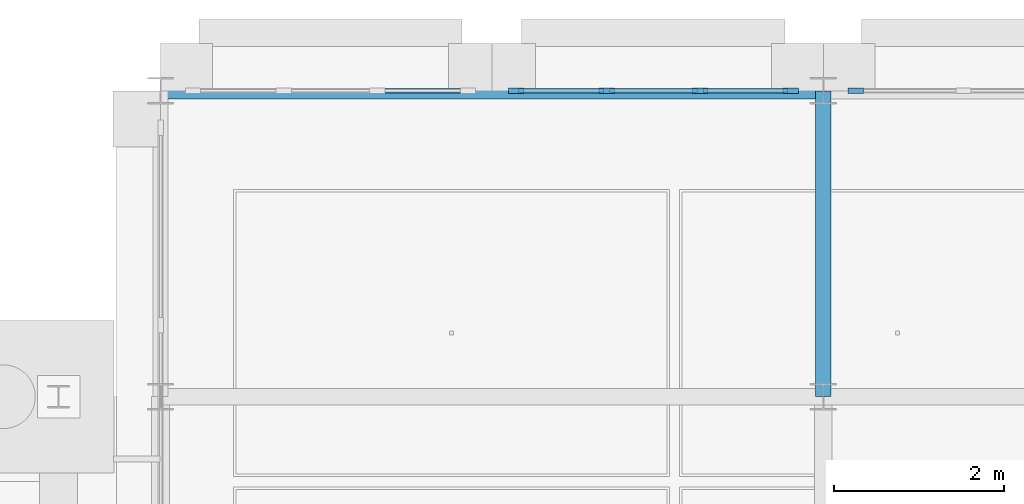
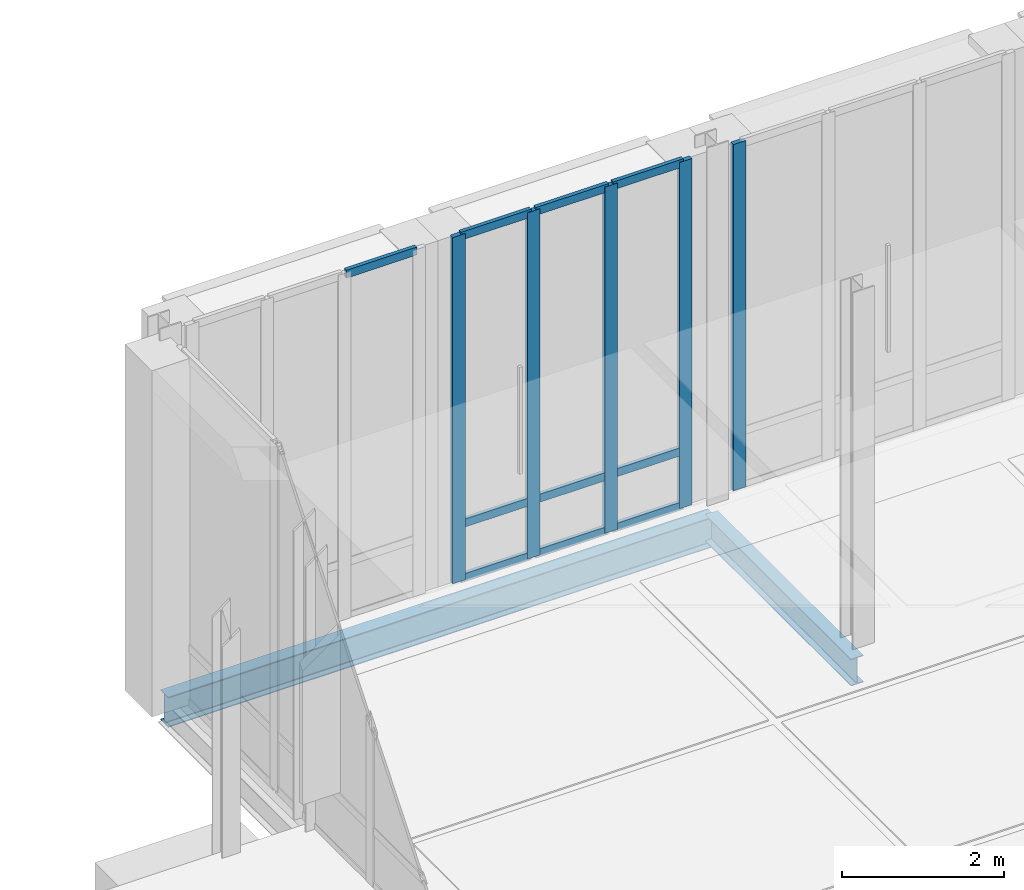
# One storey, part 53 of 180: 15 members, 2 beams, 3 elements without a shape of their own.
"""IFC4 building model written with IfcOpenShell, lengths in metres."""

import ifcopenshell
import ifcopenshell.guid

model = None  # the IFC model being written
_history = None  # IfcOwnerHistory: only IFC2X3 demands one
_inside = {}  # id of a spatial element -> (the spatial element, [elements in it])
_under = {}  # id of a project, library or spatial element -> (it, [spatial elements below it])
_declared = {}  # id of a project -> (the project, [libraries it declares])
_typed = {}  # id of a type object -> (the type object, [elements of that type])
_made_of = {}  # id of a material, layer set ... -> (it, [elements and type objects made of it])


def new_model(schema):
    """Start an empty IFC model of exactly this schema.

    Asked for "IFC4X3", IfcOpenShell would pick the latest addendum, in which some entities
    have other attributes; the version numbers below select the first issue.
    IFC2X3 requires an IfcOwnerHistory on every rooted entity: one is made here for all.
    """
    global model, _history
    if schema == "IFC4X3":
        model = ifcopenshell.file(schema_version=(4, 3, 0, 0))
    else:
        model = ifcopenshell.file(schema=schema)
    _inside.clear()
    _under.clear()
    _declared.clear()
    _typed.clear()
    _made_of.clear()
    _history = None
    if model.schema == "IFC2X3":
        org = make("IfcOrganization", Name="unknown")
        user = make(
            "IfcPersonAndOrganization",
            ThePerson=make("IfcPerson", FamilyName="unknown"),
            TheOrganization=org,
        )
        app = make(
            "IfcApplication",
            ApplicationDeveloper=org,
            Version="unknown",
            ApplicationFullName="unknown",
            ApplicationIdentifier="unknown",
        )
        _history = make(
            "IfcOwnerHistory",
            OwningUser=user,
            OwningApplication=app,
            ChangeAction="ADDED",
            CreationDate=0,
        )
    return model


def make(cls, **values):
    """One entity of the class cls with the attributes given. An attribute that is None is left unset."""
    return model.create_entity(
        cls, **{name: value for name, value in values.items() if value is not None}
    )


def rooted(cls, **values):
    """An entity with a GlobalId (a new one), such as an element, a storey or a relation."""
    return make(cls, GlobalId=ifcopenshell.guid.new(), OwnerHistory=_history, **values)


def si_unit(unit_type, name, prefix=None):
    """IfcSIUnit, for example si_unit("LENGTHUNIT", "METRE", prefix="MILLI")."""
    return make("IfcSIUnit", UnitType=unit_type, Prefix=prefix, Name=name)


def assignment(units):
    """IfcUnitAssignment: the units of a project."""
    return None if units is None else make("IfcUnitAssignment", Units=units)


def point(xyz):
    """IfcCartesianPoint."""
    return None if xyz is None else make("IfcCartesianPoint", Coordinates=xyz)


def direction(xyz):
    """IfcDirection."""
    return None if xyz is None else make("IfcDirection", DirectionRatios=xyz)


def frame(location, z_axis=None, x_axis=None):
    """IfcAxis2Placement3D, a coordinate frame: its origin and axes. An axis left out is left unset."""
    return make(
        "IfcAxis2Placement3D",
        Location=point(location),
        Axis=direction(z_axis),
        RefDirection=direction(x_axis),
    )


def frame_2d(location, x_axis=None):
    """IfcAxis2Placement2D, a coordinate frame in the plane: its origin and x axis."""
    return make(
        "IfcAxis2Placement2D", Location=point(location), RefDirection=direction(x_axis)
    )


def origin():
    """The frame at (0, 0, 0) with its axes left unset."""
    return frame((0.0, 0.0, 0.0))


def origin_2d():
    """The frame at (0, 0) in the plane with its x axis left unset."""
    return frame_2d((0.0, 0.0))


def place(relative_to, where):
    """IfcLocalPlacement: puts the frame where relative to a parent placement (None: the world)."""
    return make(
        "IfcLocalPlacement", PlacementRelTo=relative_to, RelativePlacement=where
    )


def context(
    kind, dimensions, precision=None, world=None, true_north=None, identifier=None
):
    """IfcGeometricRepresentationContext, for example the 3D "Model" context."""
    return make(
        "IfcGeometricRepresentationContext",
        ContextIdentifier=identifier,
        ContextType=kind,
        CoordinateSpaceDimension=dimensions,
        Precision=precision,
        WorldCoordinateSystem=world,
        TrueNorth=true_north,
    )


def subcontext(parent, identifier, kind, view, scale=None):
    """IfcGeometricRepresentationSubContext, for example "Body" below "Model"."""
    return make(
        "IfcGeometricRepresentationSubContext",
        ContextIdentifier=identifier,
        ContextType=kind,
        ParentContext=parent,
        TargetScale=scale,
        TargetView=view,
    )


def project(units=None, contexts=None):
    """IfcProject with its units and contexts."""
    return rooted(
        "IfcProject",
        Name="project",
        RepresentationContexts=contexts,
        UnitsInContext=assignment(units),
    )


def spatial(cls, under=None, at=None, **own):
    """A site, building, storey or space (cls), placed at a placement, below another one or the project."""
    s = rooted(cls, ObjectPlacement=at, **own)
    if under is not None:
        _under.setdefault(under.id(), (under, []))[1].append(s)
    return s


def profile(cls, at=None, kind="AREA", **sizes):
    """A parametric profile (cls). Its sizes go by their IFC names, for example OverallWidth=200.0."""
    return make(cls, ProfileType=kind, Position=at, **sizes)


def rectangle(**sizes):
    """IfcRectangleProfileDef."""
    return profile("IfcRectangleProfileDef", **sizes)


def i_section(**sizes):
    """IfcIShapeProfileDef."""
    return profile("IfcIShapeProfileDef", **sizes)


def extrude(swept, where, along, depth):
    """IfcExtrudedAreaSolid: the profile swept, set in the frame where, extruded along a direction by depth."""
    return make(
        "IfcExtrudedAreaSolid",
        SweptArea=swept,
        Position=where,
        ExtrudedDirection=direction(along),
        Depth=depth,
    )


def shape(context_of_items, identifier, shape_type, items):
    """IfcShapeRepresentation: the items that make up one representation, for example the "Body"."""
    return make(
        "IfcShapeRepresentation",
        ContextOfItems=context_of_items,
        RepresentationIdentifier=identifier,
        RepresentationType=shape_type,
        Items=items,
    )


def material(Name=None, Category=None):
    """IfcMaterial."""
    return make("IfcMaterial", Name=Name, Category=Category)


def material_profile(
    of_material, cross_section, Name=None, Category=None, Priority=None
):
    """IfcMaterialProfile: a cross section and its material."""
    return make(
        "IfcMaterialProfile",
        Name=Name,
        Material=of_material,
        Profile=cross_section,
        Priority=Priority,
        Category=Category,
    )


def profile_set(profiles, Name=None, composite=None):
    """IfcMaterialProfileSet."""
    return make(
        "IfcMaterialProfileSet",
        Name=Name,
        MaterialProfiles=profiles,
        CompositeProfile=composite,
    )


def made_of(thing, what):
    """Note that an element or type object is made of a material, layer set ...; save() writes the relation."""
    if what is not None:
        _made_of.setdefault(what.id(), (what, []))[1].append(thing)
    return thing


def type_object(cls, material=None, **own):
    """A type object (cls), such as IfcWallType, which elements share."""
    return made_of(rooted(cls, **own), material)


def element(
    cls,
    number,
    at=None,
    inside=None,
    cuts=None,
    type_object=None,
    material=None,
    context=None,
    identifier="Body",
    shape_type=None,
    held_by="IfcProductDefinitionShape",
    body=None,
    shapes=None,
    **own,
):
    """One element of the class cls, such as IfcWall. Its Tag is "e" and its number.

    at: its placement. inside: the storey or other place that contains it. cuts: it is an
    opening in that element (IfcRelVoidsElement). A single representation is given by context,
    identifier, shape_type and body (its items); several are given by shapes. held_by: the class
    of the entity that holds the representations. save() writes the other relations.
    """
    e = rooted(cls, Tag="e%d" % number, ObjectPlacement=at, **own)
    if body is not None:
        shapes = [shape(context, identifier, shape_type, body)]
    if shapes is not None:
        e.Representation = make(held_by, Representations=shapes)
    if inside is not None:
        _inside.setdefault(inside.id(), (inside, []))[1].append(e)
    if cuts is not None:
        rooted(
            "IfcRelVoidsElement", RelatingBuildingElement=cuts, RelatedOpeningElement=e
        )
    if type_object is not None:
        _typed.setdefault(type_object.id(), (type_object, []))[1].append(e)
    return made_of(e, material)


def aggregate(whole, parts):
    """IfcRelAggregates: a whole, such as a stair, and the parts it consists of."""
    return rooted("IfcRelAggregates", RelatingObject=whole, RelatedObjects=parts)


def save(model, path):
    """Write the relations noted so far, then the file.

    IfcRelAggregates (storeys below a building ...), IfcRelContainedInSpatialStructure (elements
    in a storey), IfcRelDefinesByType, IfcRelAssociatesMaterial and IfcRelDeclares: one each for
    every whole, place, type object, material and project.
    """
    for whole, parts in _under.values():
        aggregate(whole, parts)
    for where, things in _inside.values():
        rooted(
            "IfcRelContainedInSpatialStructure",
            RelatedElements=things,
            RelatingStructure=where,
        )
    for kind, things in _typed.values():
        rooted("IfcRelDefinesByType", RelatedObjects=things, RelatingType=kind)
    for what, things in _made_of.values():
        rooted("IfcRelAssociatesMaterial", RelatedObjects=things, RelatingMaterial=what)
    for by, libraries in _declared.values():
        rooted("IfcRelDeclares", RelatingContext=by, RelatedDefinitions=libraries)
    model.write(path)


model = new_model("IFC4")

# Units and contexts
model_context = context("Model", 3, precision=1e-05, world=origin(), true_north=direction((0.0, 1.0)))
body_context = subcontext(model_context, "Body", "Model", "MODEL_VIEW")
ifc_project = project(units=[si_unit("LENGTHUNIT", "METRE"), si_unit("AREAUNIT", "SQUARE_METRE"), si_unit("VOLUMEUNIT", "CUBIC_METRE"), si_unit("PLANEANGLEUNIT", "RADIAN"), si_unit("MASSUNIT", "GRAM", prefix="KILO"), si_unit("THERMODYNAMICTEMPERATUREUNIT", "KELVIN"), si_unit("POWERUNIT", "WATT")], contexts=[model_context])

# Site, building, storey
site_placement = place(None, origin())
site = spatial("IfcSite", under=ifc_project, at=site_placement, CompositionType="ELEMENT")
building_placement = place(site_placement, origin())
building = spatial("IfcBuilding", under=site, at=building_placement, Name="Tallowbark Science Centre", CompositionType="ELEMENT")
storey_placement = place(building_placement, origin())
storey = spatial("IfcBuildingStorey", under=building, at=storey_placement, Name="L00", CompositionType="ELEMENT", Elevation=0.0)

# Beam
ifc_material_1 = material(Name="Structural Steel Grade 300PLUS (300 MPa)", Category="steel")
ifc_material_profile_1 = material_profile(ifc_material_1, i_section(OverallWidth=0.177734375, OverallDepth=0.406494140625, WebThickness=0.0078125, FlangeThickness=0.0126953125, FilletRadius=0.011474609375, at=origin_2d()), Name="410UB59.7")
ifc_profile_set_1 = profile_set([ifc_material_profile_1], Name="Structural Steel Grade 300PLUS (300 MPa)")
beam_type_1 = type_object("IfcBeamType", Name="BM-UB410", PredefinedType="BEAM", material=ifc_profile_set_1)
beam_1_placement = place(storey_placement, frame((63.0, 108.0, -0.443115234375), z_axis=(0.0, 1.0, 0.0), x_axis=(-1.0, 0.0, 0.0)))
element("IfcBeam", 1, at=beam_1_placement, inside=storey, type_object=beam_type_1, Name="Primary Girder GRDY-L00-630-1080-1116", PredefinedType="BEAM", context=body_context, shape_type="SweptSolid", body=[
    extrude(i_section(OverallWidth=0.177734375, OverallDepth=0.406494140625, WebThickness=0.0078125, FlangeThickness=0.0126953125, FilletRadius=0.011474609375, at=origin_2d()), origin(), (0.0, 0.0, 1.0), 3.60009765625),
])

# Curtain wall, members
ifc_material_2 = material(Name="Unitised Thermally Broken Aluminium and Low-E Double Glazing", Category="aluminium")
curtain_wall_type = type_object("IfcCurtainWallType", Name="CW-SYS-FACADE", PredefinedType="NOTDEFINED", material=ifc_material_2)
curtain_wall_1_placement = place(storey_placement, origin())
curtain_wall_1 = element("IfcCurtainWall", 2, at=curtain_wall_1_placement, inside=storey, type_object=curtain_wall_type, Name="Unitised Curtain Wall CAF-N-55A CW-L00-030", PredefinedType="NOTDEFINED")
ifc_material_3 = material(Name="Anodised Architectural Aluminium Alloy 6063-T6", Category="aluminium")
ifc_material_profile_2 = material_profile(ifc_material_3, rectangle(XDim=0.06494140625, YDim=0.179931640625, at=origin_2d()), Name="ALU65x180")
ifc_profile_set_2 = profile_set([ifc_material_profile_2], Name="Anodised Architectural Aluminium Alloy 6063-T6")
member_type_1 = type_object("IfcMemberType", Name="CWM-MUL-220", PredefinedType="MULLION", material=ifc_profile_set_2)
member_1_placement = place(storey_placement, frame((62.617431640625, 111.60009765625, 0.0), z_axis=(0.0, 0.0, 1.0), x_axis=(0.0, -1.0, 0.0)))
member_1 = element("IfcMember", 3, at=member_1_placement, type_object=member_type_1, Name="CW-01 mullion 1", PredefinedType="MULLION", context=body_context, shape_type="SweptSolid", body=[
    extrude(rectangle(XDim=0.06494140625, YDim=0.179931640625, at=origin_2d()), origin(), (0.0, 0.0, 1.0), 5.219970703125),
])
member_2_placement = place(storey_placement, frame((61.550048828125, 111.60009765625, 0.0), z_axis=(0.0, 0.0, 1.0), x_axis=(0.0, -1.0, 0.0)))
member_2 = element("IfcMember", 4, at=member_2_placement, type_object=member_type_1, Name="CW-01 mullion 2", PredefinedType="MULLION", context=body_context, shape_type="SweptSolid", body=[
    extrude(rectangle(XDim=0.06494140625, YDim=0.179931640625, at=origin_2d()), origin(), (0.0, 0.0, 1.0), 5.219970703125),
])
member_3_placement = place(storey_placement, frame((60.449951171875, 111.60009765625, 0.0), z_axis=(0.0, 0.0, 1.0), x_axis=(0.0, -1.0, 0.0)))
member_3 = element("IfcMember", 5, at=member_3_placement, type_object=member_type_1, Name="CW-01 mullion 3", PredefinedType="MULLION", context=body_context, shape_type="SweptSolid", body=[
    extrude(rectangle(XDim=0.06494140625, YDim=0.179931640625, at=origin_2d()), origin(), (0.0, 0.0, 1.0), 5.219970703125),
])
member_4_placement = place(storey_placement, frame((59.382568359375, 111.60009765625, 0.0), z_axis=(0.0, 0.0, 1.0), x_axis=(0.0, -1.0, 0.0)))
member_4 = element("IfcMember", 6, at=member_4_placement, type_object=member_type_1, Name="CW-01 mullion 4", PredefinedType="MULLION", context=body_context, shape_type="SweptSolid", body=[
    extrude(rectangle(XDim=0.06494140625, YDim=0.179931640625, at=origin_2d()), origin(), (0.0, 0.0, 1.0), 5.219970703125),
])

# Curtain wall, member
curtain_wall_2_placement = place(storey_placement, origin())
curtain_wall_2 = element("IfcCurtainWall", 7, at=curtain_wall_2_placement, inside=storey, type_object=curtain_wall_type, Name="Unitised Curtain Wall CAF-N-63B CW-L00-033", PredefinedType="NOTDEFINED")
member_5_placement = place(storey_placement, frame((63.382568359375, 111.60009765625, 0.0), z_axis=(0.0, 0.0, 1.0), x_axis=(0.0, -1.0, 0.0)))
member_5 = element("IfcMember", 8, at=member_5_placement, type_object=member_type_1, Name="CW-01 mullion 4", PredefinedType="MULLION", context=body_context, shape_type="SweptSolid", body=[
    extrude(rectangle(XDim=0.06494140625, YDim=0.179931640625, at=origin_2d()), origin(), (0.0, 0.0, 1.0), 5.219970703125),
])
aggregate(curtain_wall_2, [member_5])

# Member
ifc_material_profile_3 = material_profile(ifc_material_3, rectangle(XDim=0.054931640625, YDim=0.1201171875, at=origin_2d()), Name="ALU55x120")
ifc_profile_set_3 = profile_set([ifc_material_profile_3], Name="Anodised Architectural Aluminium Alloy 6063-T6")
member_type_2 = type_object("IfcMemberType", Name="CWM-TRN-150", PredefinedType="USERDEFINED", material=ifc_profile_set_3)
member_6_placement = place(storey_placement, frame((62.5849609375, 111.60009765625, 0.027587890625), z_axis=(-1.0, 0.0, 0.0), x_axis=(0.0, -1.0, 0.0)))
member_6 = element("IfcMember", 9, at=member_6_placement, type_object=member_type_2, Name="CW-01 transom 1.1", ObjectType="TRANSOM", PredefinedType="USERDEFINED", context=body_context, shape_type="SweptSolid", body=[
    extrude(rectangle(XDim=0.054931640625, YDim=0.1201171875, at=origin_2d()), origin(), (0.0, 0.0, 1.0), 1.00244140625),
])

member_7_placement = place(storey_placement, frame((62.5849609375, 111.60009765625, 0.85009765625), z_axis=(-1.0, 0.0, 0.0), x_axis=(0.0, -1.0, 0.0)))
member_7 = element("IfcMember", 10, at=member_7_placement, type_object=member_type_2, Name="CW-01 transom 1.2", ObjectType="TRANSOM", PredefinedType="USERDEFINED", context=body_context, shape_type="SweptSolid", body=[
    extrude(rectangle(XDim=0.054931640625, YDim=0.1201171875, at=origin_2d()), origin(), (0.0, 0.0, 1.0), 1.00244140625),
])

member_8_placement = place(storey_placement, frame((62.5849609375, 111.60009765625, 5.1923828125), z_axis=(-1.0, 0.0, 0.0), x_axis=(0.0, -1.0, 0.0)))
member_8 = element("IfcMember", 11, at=member_8_placement, type_object=member_type_2, Name="CW-01 transom 1.3", ObjectType="TRANSOM", PredefinedType="USERDEFINED", context=body_context, shape_type="SweptSolid", body=[
    extrude(rectangle(XDim=0.054931640625, YDim=0.1201171875, at=origin_2d()), origin(), (0.0, 0.0, 1.0), 1.00244140625),
])

member_9_placement = place(storey_placement, frame((61.517578125, 111.60009765625, 0.027587890625), z_axis=(-1.0, 0.0, 0.0), x_axis=(0.0, -1.0, 0.0)))
member_9 = element("IfcMember", 12, at=member_9_placement, type_object=member_type_2, Name="CW-01 transom 2.1", ObjectType="TRANSOM", PredefinedType="USERDEFINED", context=body_context, shape_type="SweptSolid", body=[
    extrude(rectangle(XDim=0.054931640625, YDim=0.1201171875, at=origin_2d()), origin(), (0.0, 0.0, 1.0), 1.03515625),
])

member_10_placement = place(storey_placement, frame((61.517578125, 111.60009765625, 0.85009765625), z_axis=(-1.0, 0.0, 0.0), x_axis=(0.0, -1.0, 0.0)))
member_10 = element("IfcMember", 13, at=member_10_placement, type_object=member_type_2, Name="CW-01 transom 2.2", ObjectType="TRANSOM", PredefinedType="USERDEFINED", context=body_context, shape_type="SweptSolid", body=[
    extrude(rectangle(XDim=0.054931640625, YDim=0.1201171875, at=origin_2d()), origin(), (0.0, 0.0, 1.0), 1.03515625),
])

member_11_placement = place(storey_placement, frame((61.517578125, 111.60009765625, 5.1923828125), z_axis=(-1.0, 0.0, 0.0), x_axis=(0.0, -1.0, 0.0)))
member_11 = element("IfcMember", 14, at=member_11_placement, type_object=member_type_2, Name="CW-01 transom 2.3", ObjectType="TRANSOM", PredefinedType="USERDEFINED", context=body_context, shape_type="SweptSolid", body=[
    extrude(rectangle(XDim=0.054931640625, YDim=0.1201171875, at=origin_2d()), origin(), (0.0, 0.0, 1.0), 1.03515625),
])

member_12_placement = place(storey_placement, frame((60.41748046875, 111.60009765625, 0.027587890625), z_axis=(-1.0, 0.0, 0.0), x_axis=(0.0, -1.0, 0.0)))
member_12 = element("IfcMember", 15, at=member_12_placement, type_object=member_type_2, Name="CW-01 transom 3.1", ObjectType="TRANSOM", PredefinedType="USERDEFINED", context=body_context, shape_type="SweptSolid", body=[
    extrude(rectangle(XDim=0.054931640625, YDim=0.1201171875, at=origin_2d()), origin(), (0.0, 0.0, 1.0), 1.00244140625),
])

member_13_placement = place(storey_placement, frame((60.41748046875, 111.60009765625, 0.85009765625), z_axis=(-1.0, 0.0, 0.0), x_axis=(0.0, -1.0, 0.0)))
member_13 = element("IfcMember", 16, at=member_13_placement, type_object=member_type_2, Name="CW-01 transom 3.2", ObjectType="TRANSOM", PredefinedType="USERDEFINED", context=body_context, shape_type="SweptSolid", body=[
    extrude(rectangle(XDim=0.054931640625, YDim=0.1201171875, at=origin_2d()), origin(), (0.0, 0.0, 1.0), 1.00244140625),
])

member_14_placement = place(storey_placement, frame((60.41748046875, 111.60009765625, 5.1923828125), z_axis=(-1.0, 0.0, 0.0), x_axis=(0.0, -1.0, 0.0)))
member_14 = element("IfcMember", 17, at=member_14_placement, type_object=member_type_2, Name="CW-01 transom 3.3", ObjectType="TRANSOM", PredefinedType="USERDEFINED", context=body_context, shape_type="SweptSolid", body=[
    extrude(rectangle(XDim=0.054931640625, YDim=0.1201171875, at=origin_2d()), origin(), (0.0, 0.0, 1.0), 1.00244140625),
])

aggregate(curtain_wall_1, [member_1, member_2, member_3, member_4, member_6, member_7, member_8, member_9, member_10, member_11, member_12, member_13, member_14])

# Curtain wall, member
curtain_wall_3_placement = place(storey_placement, origin())
curtain_wall_3 = element("IfcCurtainWall", 18, at=curtain_wall_3_placement, inside=storey, type_object=curtain_wall_type, Name="Unitised Curtain Wall CAF-N-55B CW-L00-031", PredefinedType="NOTDEFINED")
member_15_placement = place(storey_placement, frame((58.784912109375, 111.60009765625, 5.1923828125), z_axis=(-1.0, 0.0, 0.0), x_axis=(0.0, -1.0, 0.0)))
member_15 = element("IfcMember", 19, at=member_15_placement, type_object=member_type_2, Name="CW-01 transom 1.3", ObjectType="TRANSOM", PredefinedType="USERDEFINED", context=body_context, shape_type="SweptSolid", body=[
    extrude(rectangle(XDim=0.054931640625, YDim=0.1201171875, at=origin_2d()), origin(), (0.0, 0.0, 1.0), 1.00244140625),
])
aggregate(curtain_wall_3, [member_15])

# Beam
ifc_material_profile_4 = material_profile(ifc_material_1, i_section(OverallWidth=0.18994140625, OverallDepth=0.453857421875, WebThickness=0.008544921875, FlangeThickness=0.0126953125, FilletRadius=0.011474609375, at=origin_2d()), Name="460UB67.1")
ifc_profile_set_4 = profile_set([ifc_material_profile_4], Name="Structural Steel Grade 300PLUS (300 MPa)")
beam_type_2 = type_object("IfcBeamType", Name="SPN-UB460", PredefinedType="SPANDREL", material=ifc_profile_set_4)
beam_2_placement = place(storey_placement, frame((55.199951171875, 111.60009765625, -0.466796875), z_axis=(1.0, 0.0, 0.0), x_axis=(0.0, 1.0, 0.0)))
element("IfcBeam", 20, at=beam_2_placement, inside=storey, type_object=beam_type_2, Name="Primary Girder GRDX-L00-552-630-1116", PredefinedType="SPANDREL", context=body_context, shape_type="SweptSolid", body=[
    extrude(i_section(OverallWidth=0.18994140625, OverallDepth=0.453857421875, WebThickness=0.008544921875, FlangeThickness=0.0126953125, FilletRadius=0.011474609375, at=origin_2d()), origin(), (0.0, 0.0, 1.0), 7.800048828125),
])

save(model, "model.ifc")
